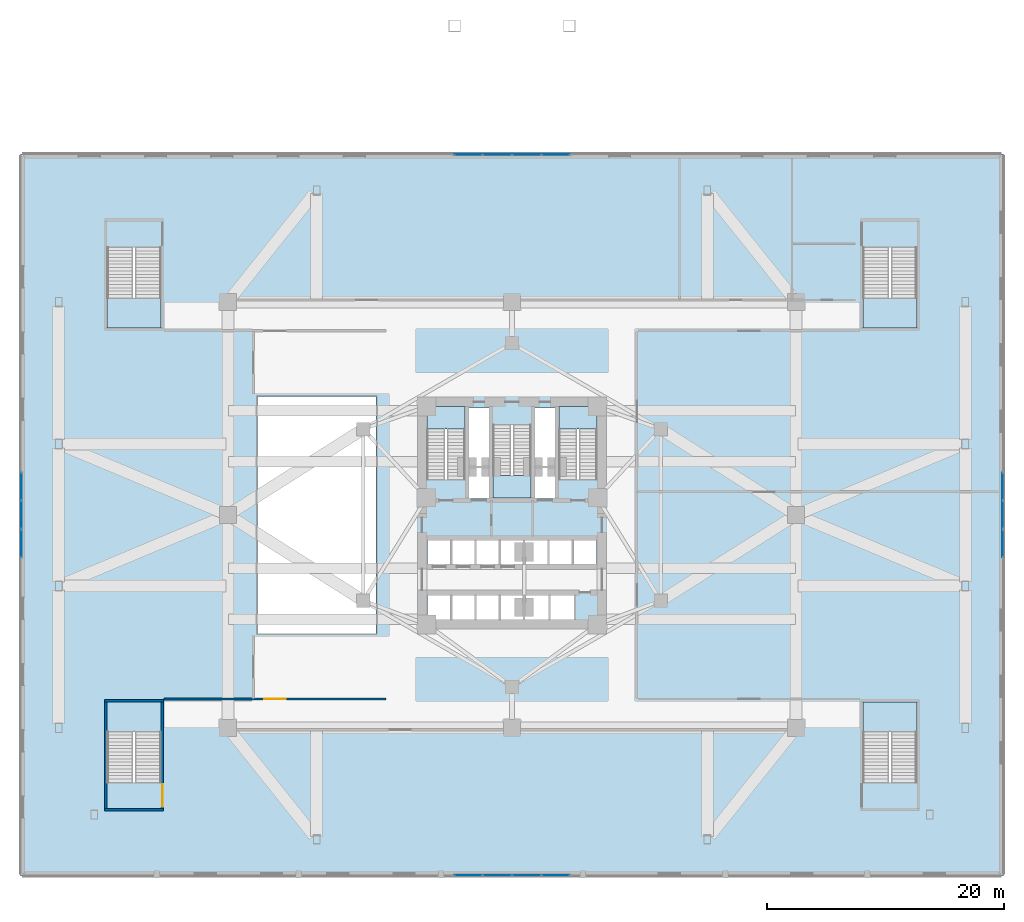
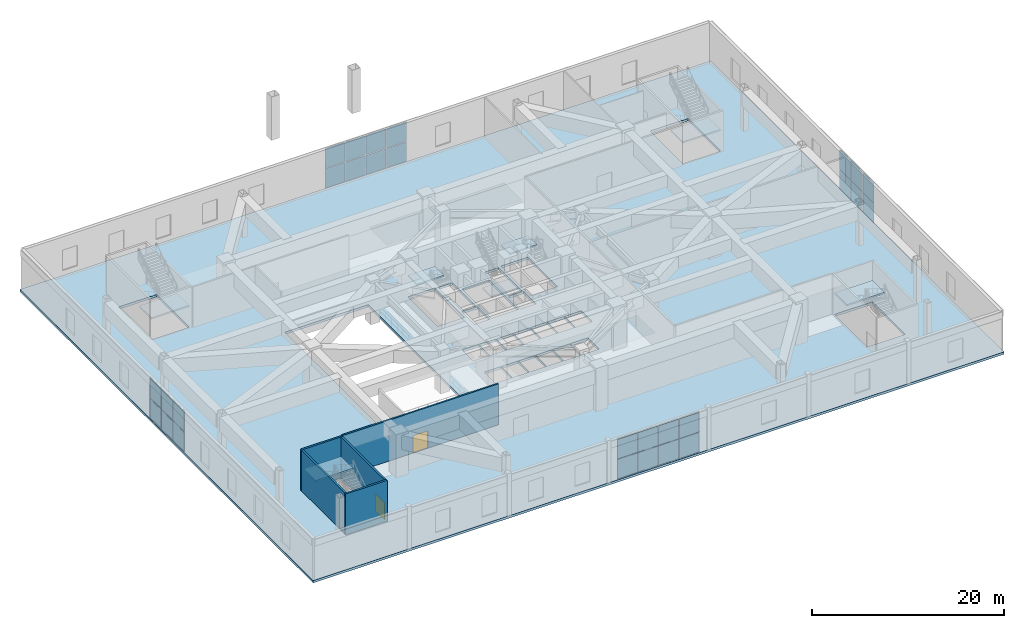
# One storey, part 9 of 23: 28 plates, 8 slabs, 5 walls, 2 doors, 2 openings, 11 elements without a shape of their own.
"""IFC4 building model written with IfcOpenShell, lengths in metres."""

from ifc_helpers import new_model, si_unit, direction, frame, frame_2d, origin, origin_2d, place, context, subcontext, project, spatial, polyline, rectangle, outline, extrude, material, layer, layer_set, type_object, element, fill, aggregate, save


model = new_model("IFC4")

# Units and contexts
model_context = context("Model", 3, precision=1e-05, world=origin(), true_north=direction((0.0, 1.0)))
body_context = subcontext(model_context, "Body", "Model", "MODEL_VIEW")
ifc_project = project(units=[si_unit("LENGTHUNIT", "METRE"), si_unit("AREAUNIT", "SQUARE_METRE"), si_unit("VOLUMEUNIT", "CUBIC_METRE"), si_unit("PLANEANGLEUNIT", "RADIAN"), si_unit("MASSUNIT", "GRAM", prefix="KILO")], contexts=[model_context])

# Site, building, storey
site_placement = place(None, origin())
site = spatial("IfcSite", under=ifc_project, at=site_placement, CompositionType="ELEMENT")
building_placement = place(site_placement, origin())
building = spatial("IfcBuilding", under=site, at=building_placement, Name="Apsidion Concourse Tower", CompositionType="ELEMENT")
storey_placement = place(building_placement, frame((0.0, 0.0, 6.0)))
storey = spatial("IfcBuildingStorey", under=building, at=storey_placement, Name="L01", CompositionType="ELEMENT", Elevation=6.0)

# Curtain wall, plates
ifc_material_1 = material(Name="Insulated laminated low-E glass", Category="glass")
ifc_layer_1 = layer(ifc_material_1, 0.18994140625)
ifc_layer_set_1 = layer_set([ifc_layer_1], Name="Insulated laminated low-E glass")
curtain_wall_type = type_object("IfcCurtainWallType", Name="CW-SYS-01", PredefinedType="NOTDEFINED", material=ifc_layer_set_1)
curtain_wall_1_placement = place(storey_placement, origin())
curtain_wall_1 = element("IfcCurtainWall", 1, at=curtain_wall_1_placement, inside=storey, type_object=curtain_wall_type, Name="L01 Podium Glazed Curtain Wall S", PredefinedType="NOTDEFINED")
ifc_layer_2 = layer(ifc_material_1, 0.031982421875)
ifc_layer_set_2 = layer_set([ifc_layer_2], Name="Insulated laminated low-E glass")
plate_type = type_object("IfcPlateType", Name="CWP-GLZ-32", PredefinedType="CURTAIN_PANEL", material=ifc_layer_set_2)
plate_1_placement = place(storey_placement, frame((3.6982421875, -30.43994140625, 0.074951171875), z_axis=(0.0, 0.0, 1.0), x_axis=(-1.0, 0.0, 0.0)))
plate_1 = element("IfcPlate", 2, at=plate_1_placement, type_object=plate_type, Name="CW-01 panel 1.1", PredefinedType="CURTAIN_PANEL", context=body_context, shape_type="SweptSolid", body=[
    extrude(rectangle(XDim=2.365478515625, YDim=0.031982421875, at=origin_2d()), origin(), (0.0, 0.0, 1.0), 2.46240234375),
])
plate_2_placement = place(storey_placement, frame((3.6982421875, -30.43994140625, 2.612548828125), z_axis=(0.0, 0.0, 1.0), x_axis=(-1.0, 0.0, 0.0)))
plate_2 = element("IfcPlate", 3, at=plate_2_placement, type_object=plate_type, Name="CW-01 panel 1.2", PredefinedType="CURTAIN_PANEL", context=body_context, shape_type="SweptSolid", body=[
    extrude(rectangle(XDim=2.365478515625, YDim=0.031982421875, at=origin_2d()), origin(), (0.0, 0.0, 1.0), 2.46240234375),
])
plate_3_placement = place(storey_placement, frame((1.239013671875, -30.43994140625, 0.074951171875), z_axis=(0.0, 0.0, 1.0), x_axis=(-1.0, 0.0, 0.0)))
plate_3 = element("IfcPlate", 4, at=plate_3_placement, type_object=plate_type, Name="CW-01 panel 2.1", PredefinedType="CURTAIN_PANEL", context=body_context, shape_type="SweptSolid", body=[
    extrude(rectangle(XDim=2.403076171875, YDim=0.031982421875, at=origin_2d()), origin(), (0.0, 0.0, 1.0), 2.46240234375),
])
plate_4_placement = place(storey_placement, frame((1.239013671875, -30.43994140625, 2.612548828125), z_axis=(0.0, 0.0, 1.0), x_axis=(-1.0, 0.0, 0.0)))
plate_4 = element("IfcPlate", 5, at=plate_4_placement, type_object=plate_type, Name="CW-01 panel 2.2", PredefinedType="CURTAIN_PANEL", context=body_context, shape_type="SweptSolid", body=[
    extrude(rectangle(XDim=2.403076171875, YDim=0.031982421875, at=origin_2d()), origin(), (0.0, 0.0, 1.0), 2.46240234375),
])
plate_5_placement = place(storey_placement, frame((-1.239013671875, -30.43994140625, 0.074951171875), z_axis=(0.0, 0.0, 1.0), x_axis=(-1.0, 0.0, 0.0)))
plate_5 = element("IfcPlate", 6, at=plate_5_placement, type_object=plate_type, Name="CW-01 panel 3.1", PredefinedType="CURTAIN_PANEL", context=body_context, shape_type="SweptSolid", body=[
    extrude(rectangle(XDim=2.403076171875, YDim=0.031982421875, at=origin_2d()), origin(), (0.0, 0.0, 1.0), 2.46240234375),
])
plate_6_placement = place(storey_placement, frame((-1.239013671875, -30.43994140625, 2.612548828125), z_axis=(0.0, 0.0, 1.0), x_axis=(-1.0, 0.0, 0.0)))
plate_6 = element("IfcPlate", 7, at=plate_6_placement, type_object=plate_type, Name="CW-01 panel 3.2", PredefinedType="CURTAIN_PANEL", context=body_context, shape_type="SweptSolid", body=[
    extrude(rectangle(XDim=2.403076171875, YDim=0.031982421875, at=origin_2d()), origin(), (0.0, 0.0, 1.0), 2.46240234375),
])
plate_7_placement = place(storey_placement, frame((-3.6982421875, -30.43994140625, 0.074951171875), z_axis=(0.0, 0.0, 1.0), x_axis=(-1.0, 0.0, 0.0)))
plate_7 = element("IfcPlate", 8, at=plate_7_placement, type_object=plate_type, Name="CW-01 panel 4.1", PredefinedType="CURTAIN_PANEL", context=body_context, shape_type="SweptSolid", body=[
    extrude(rectangle(XDim=2.365478515625, YDim=0.031982421875, at=origin_2d()), origin(), (0.0, 0.0, 1.0), 2.46240234375),
])
plate_8_placement = place(storey_placement, frame((-3.6982421875, -30.43994140625, 2.612548828125), z_axis=(0.0, 0.0, 1.0), x_axis=(-1.0, 0.0, 0.0)))
plate_8 = element("IfcPlate", 9, at=plate_8_placement, type_object=plate_type, Name="CW-01 panel 4.2", PredefinedType="CURTAIN_PANEL", context=body_context, shape_type="SweptSolid", body=[
    extrude(rectangle(XDim=2.365478515625, YDim=0.031982421875, at=origin_2d()), origin(), (0.0, 0.0, 1.0), 2.46240234375),
])
aggregate(curtain_wall_1, [plate_1, plate_2, plate_3, plate_4, plate_5, plate_6, plate_7, plate_8])

curtain_wall_2_placement = place(storey_placement, origin())
curtain_wall_2 = element("IfcCurtainWall", 10, at=curtain_wall_2_placement, inside=storey, type_object=curtain_wall_type, Name="L01 Podium Glazed Curtain Wall W", PredefinedType="NOTDEFINED")
plate_9_placement = place(storey_placement, frame((-41.43994140625, -2.4052734375, 0.074951171875), z_axis=(0.0, 0.0, 1.0), x_axis=(0.0, 1.0, 0.0)))
plate_9 = element("IfcPlate", 11, at=plate_9_placement, type_object=plate_type, Name="CW-01 panel 1.1", PredefinedType="CURTAIN_PANEL", context=body_context, shape_type="SweptSolid", body=[
    extrude(rectangle(XDim=2.3115234375, YDim=0.031982421875, at=origin_2d()), origin(), (0.0, 0.0, 1.0), 2.46240234375),
])
plate_10_placement = place(storey_placement, frame((-41.43994140625, -2.4052734375, 2.612548828125), z_axis=(0.0, 0.0, 1.0), x_axis=(0.0, 1.0, 0.0)))
plate_10 = element("IfcPlate", 12, at=plate_10_placement, type_object=plate_type, Name="CW-01 panel 1.2", PredefinedType="CURTAIN_PANEL", context=body_context, shape_type="SweptSolid", body=[
    extrude(rectangle(XDim=2.3115234375, YDim=0.031982421875, at=origin_2d()), origin(), (0.0, 0.0, 1.0), 2.46240234375),
])
plate_11_placement = place(storey_placement, frame((-41.43994140625, 0.0, 0.074951171875), z_axis=(0.0, 0.0, 1.0), x_axis=(0.0, 1.0, 0.0)))
plate_11 = element("IfcPlate", 13, at=plate_11_placement, type_object=plate_type, Name="CW-01 panel 2.1", PredefinedType="CURTAIN_PANEL", context=body_context, shape_type="SweptSolid", body=[
    extrude(rectangle(XDim=2.34912109375, YDim=0.031982421875, at=origin_2d()), origin(), (0.0, 0.0, 1.0), 2.46240234375),
])
plate_12_placement = place(storey_placement, frame((-41.43994140625, 0.0, 2.612548828125), z_axis=(0.0, 0.0, 1.0), x_axis=(0.0, 1.0, 0.0)))
plate_12 = element("IfcPlate", 14, at=plate_12_placement, type_object=plate_type, Name="CW-01 panel 2.2", PredefinedType="CURTAIN_PANEL", context=body_context, shape_type="SweptSolid", body=[
    extrude(rectangle(XDim=2.34912109375, YDim=0.031982421875, at=origin_2d()), origin(), (0.0, 0.0, 1.0), 2.46240234375),
])
plate_13_placement = place(storey_placement, frame((-41.43994140625, 2.4052734375, 0.074951171875), z_axis=(0.0, 0.0, 1.0), x_axis=(0.0, 1.0, 0.0)))
plate_13 = element("IfcPlate", 15, at=plate_13_placement, type_object=plate_type, Name="CW-01 panel 3.1", PredefinedType="CURTAIN_PANEL", context=body_context, shape_type="SweptSolid", body=[
    extrude(rectangle(XDim=2.3115234375, YDim=0.031982421875, at=origin_2d()), origin(), (0.0, 0.0, 1.0), 2.46240234375),
])
plate_14_placement = place(storey_placement, frame((-41.43994140625, 2.4052734375, 2.612548828125), z_axis=(0.0, 0.0, 1.0), x_axis=(0.0, 1.0, 0.0)))
plate_14 = element("IfcPlate", 16, at=plate_14_placement, type_object=plate_type, Name="CW-01 panel 3.2", PredefinedType="CURTAIN_PANEL", context=body_context, shape_type="SweptSolid", body=[
    extrude(rectangle(XDim=2.3115234375, YDim=0.031982421875, at=origin_2d()), origin(), (0.0, 0.0, 1.0), 2.46240234375),
])
aggregate(curtain_wall_2, [plate_9, plate_10, plate_11, plate_12, plate_13, plate_14])

curtain_wall_3_placement = place(storey_placement, origin())
curtain_wall_3 = element("IfcCurtainWall", 17, at=curtain_wall_3_placement, inside=storey, type_object=curtain_wall_type, Name="L01 Podium Glazed Curtain Wall N", PredefinedType="NOTDEFINED")
plate_15_placement = place(storey_placement, frame((-3.6982421875, 30.43994140625, 0.074951171875), z_axis=(0.0, 0.0, 1.0), x_axis=(1.0, 0.0, 0.0)))
plate_15 = element("IfcPlate", 18, at=plate_15_placement, type_object=plate_type, Name="CW-01 panel 1.1", PredefinedType="CURTAIN_PANEL", context=body_context, shape_type="SweptSolid", body=[
    extrude(rectangle(XDim=2.365478515625, YDim=0.031982421875, at=origin_2d()), origin(), (0.0, 0.0, 1.0), 2.46240234375),
])
plate_16_placement = place(storey_placement, frame((-3.6982421875, 30.43994140625, 2.612548828125), z_axis=(0.0, 0.0, 1.0), x_axis=(1.0, 0.0, 0.0)))
plate_16 = element("IfcPlate", 19, at=plate_16_placement, type_object=plate_type, Name="CW-01 panel 1.2", PredefinedType="CURTAIN_PANEL", context=body_context, shape_type="SweptSolid", body=[
    extrude(rectangle(XDim=2.365478515625, YDim=0.031982421875, at=origin_2d()), origin(), (0.0, 0.0, 1.0), 2.46240234375),
])
plate_17_placement = place(storey_placement, frame((-1.239013671875, 30.43994140625, 0.074951171875), z_axis=(0.0, 0.0, 1.0), x_axis=(1.0, 0.0, 0.0)))
plate_17 = element("IfcPlate", 20, at=plate_17_placement, type_object=plate_type, Name="CW-01 panel 2.1", PredefinedType="CURTAIN_PANEL", context=body_context, shape_type="SweptSolid", body=[
    extrude(rectangle(XDim=2.403076171875, YDim=0.031982421875, at=origin_2d()), origin(), (0.0, 0.0, 1.0), 2.46240234375),
])
plate_18_placement = place(storey_placement, frame((-1.239013671875, 30.43994140625, 2.612548828125), z_axis=(0.0, 0.0, 1.0), x_axis=(1.0, 0.0, 0.0)))
plate_18 = element("IfcPlate", 21, at=plate_18_placement, type_object=plate_type, Name="CW-01 panel 2.2", PredefinedType="CURTAIN_PANEL", context=body_context, shape_type="SweptSolid", body=[
    extrude(rectangle(XDim=2.403076171875, YDim=0.031982421875, at=origin_2d()), origin(), (0.0, 0.0, 1.0), 2.46240234375),
])
plate_19_placement = place(storey_placement, frame((1.239013671875, 30.43994140625, 0.074951171875), z_axis=(0.0, 0.0, 1.0), x_axis=(1.0, 0.0, 0.0)))
plate_19 = element("IfcPlate", 22, at=plate_19_placement, type_object=plate_type, Name="CW-01 panel 3.1", PredefinedType="CURTAIN_PANEL", context=body_context, shape_type="SweptSolid", body=[
    extrude(rectangle(XDim=2.403076171875, YDim=0.031982421875, at=origin_2d()), origin(), (0.0, 0.0, 1.0), 2.46240234375),
])
plate_20_placement = place(storey_placement, frame((1.239013671875, 30.43994140625, 2.612548828125), z_axis=(0.0, 0.0, 1.0), x_axis=(1.0, 0.0, 0.0)))
plate_20 = element("IfcPlate", 23, at=plate_20_placement, type_object=plate_type, Name="CW-01 panel 3.2", PredefinedType="CURTAIN_PANEL", context=body_context, shape_type="SweptSolid", body=[
    extrude(rectangle(XDim=2.403076171875, YDim=0.031982421875, at=origin_2d()), origin(), (0.0, 0.0, 1.0), 2.46240234375),
])
plate_21_placement = place(storey_placement, frame((3.6982421875, 30.43994140625, 0.074951171875), z_axis=(0.0, 0.0, 1.0), x_axis=(1.0, 0.0, 0.0)))
plate_21 = element("IfcPlate", 24, at=plate_21_placement, type_object=plate_type, Name="CW-01 panel 4.1", PredefinedType="CURTAIN_PANEL", context=body_context, shape_type="SweptSolid", body=[
    extrude(rectangle(XDim=2.365478515625, YDim=0.031982421875, at=origin_2d()), origin(), (0.0, 0.0, 1.0), 2.46240234375),
])
plate_22_placement = place(storey_placement, frame((3.6982421875, 30.43994140625, 2.612548828125), z_axis=(0.0, 0.0, 1.0), x_axis=(1.0, 0.0, 0.0)))
plate_22 = element("IfcPlate", 25, at=plate_22_placement, type_object=plate_type, Name="CW-01 panel 4.2", PredefinedType="CURTAIN_PANEL", context=body_context, shape_type="SweptSolid", body=[
    extrude(rectangle(XDim=2.365478515625, YDim=0.031982421875, at=origin_2d()), origin(), (0.0, 0.0, 1.0), 2.46240234375),
])
aggregate(curtain_wall_3, [plate_15, plate_16, plate_17, plate_18, plate_19, plate_20, plate_21, plate_22])

curtain_wall_4_placement = place(storey_placement, origin())
curtain_wall_4 = element("IfcCurtainWall", 26, at=curtain_wall_4_placement, inside=storey, type_object=curtain_wall_type, Name="L01 Podium Glazed Curtain Wall E", PredefinedType="NOTDEFINED")
plate_23_placement = place(storey_placement, frame((41.43994140625, 2.4052734375, 0.074951171875), z_axis=(0.0, 0.0, 1.0), x_axis=(0.0, -1.0, 0.0)))
plate_23 = element("IfcPlate", 27, at=plate_23_placement, type_object=plate_type, Name="CW-01 panel 1.1", PredefinedType="CURTAIN_PANEL", context=body_context, shape_type="SweptSolid", body=[
    extrude(rectangle(XDim=2.3115234375, YDim=0.031982421875, at=origin_2d()), origin(), (0.0, 0.0, 1.0), 2.46240234375),
])
plate_24_placement = place(storey_placement, frame((41.43994140625, 2.4052734375, 2.612548828125), z_axis=(0.0, 0.0, 1.0), x_axis=(0.0, -1.0, 0.0)))
plate_24 = element("IfcPlate", 28, at=plate_24_placement, type_object=plate_type, Name="CW-01 panel 1.2", PredefinedType="CURTAIN_PANEL", context=body_context, shape_type="SweptSolid", body=[
    extrude(rectangle(XDim=2.3115234375, YDim=0.031982421875, at=origin_2d()), origin(), (0.0, 0.0, 1.0), 2.46240234375),
])
plate_25_placement = place(storey_placement, frame((41.43994140625, 0.0, 0.074951171875), z_axis=(0.0, 0.0, 1.0), x_axis=(0.0, -1.0, 0.0)))
plate_25 = element("IfcPlate", 29, at=plate_25_placement, type_object=plate_type, Name="CW-01 panel 2.1", PredefinedType="CURTAIN_PANEL", context=body_context, shape_type="SweptSolid", body=[
    extrude(rectangle(XDim=2.34912109375, YDim=0.031982421875, at=origin_2d()), origin(), (0.0, 0.0, 1.0), 2.46240234375),
])
plate_26_placement = place(storey_placement, frame((41.43994140625, 0.0, 2.612548828125), z_axis=(0.0, 0.0, 1.0), x_axis=(0.0, -1.0, 0.0)))
plate_26 = element("IfcPlate", 30, at=plate_26_placement, type_object=plate_type, Name="CW-01 panel 2.2", PredefinedType="CURTAIN_PANEL", context=body_context, shape_type="SweptSolid", body=[
    extrude(rectangle(XDim=2.34912109375, YDim=0.031982421875, at=origin_2d()), origin(), (0.0, 0.0, 1.0), 2.46240234375),
])
plate_27_placement = place(storey_placement, frame((41.43994140625, -2.4052734375, 0.074951171875), z_axis=(0.0, 0.0, 1.0), x_axis=(0.0, -1.0, 0.0)))
plate_27 = element("IfcPlate", 31, at=plate_27_placement, type_object=plate_type, Name="CW-01 panel 3.1", PredefinedType="CURTAIN_PANEL", context=body_context, shape_type="SweptSolid", body=[
    extrude(rectangle(XDim=2.3115234375, YDim=0.031982421875, at=origin_2d()), origin(), (0.0, 0.0, 1.0), 2.46240234375),
])
plate_28_placement = place(storey_placement, frame((41.43994140625, -2.4052734375, 2.612548828125), z_axis=(0.0, 0.0, 1.0), x_axis=(0.0, -1.0, 0.0)))
plate_28 = element("IfcPlate", 32, at=plate_28_placement, type_object=plate_type, Name="CW-01 panel 3.2", PredefinedType="CURTAIN_PANEL", context=body_context, shape_type="SweptSolid", body=[
    extrude(rectangle(XDim=2.3115234375, YDim=0.031982421875, at=origin_2d()), origin(), (0.0, 0.0, 1.0), 2.46240234375),
])
aggregate(curtain_wall_4, [plate_23, plate_24, plate_25, plate_26, plate_27, plate_28])

# Slab
ifc_material_2 = material(Name="Concrete C50/60", Category="concrete")
ifc_layer_3 = layer(ifc_material_2, 0.300048828125)
ifc_layer_set_3 = layer_set([ifc_layer_3], Name="Concrete C50/60")
slab_type_1 = type_object("IfcSlabType", Name="SL-FLR-300", PredefinedType="FLOOR", material=ifc_layer_set_3)
slab_1_placement = place(storey_placement, frame((0.0, 0.0, -0.300048828125)))
element("IfcSlab", 33, at=slab_1_placement, inside=storey, type_object=slab_type_1, Name="L01 Structural Floor Slab", PredefinedType="FLOOR", context=body_context, shape_type="SweptSolid", body=[
    extrude(outline(polyline([(-41.5, -30.5), (41.5, -30.5), (41.5, 30.5), (-41.5, 30.5), (-41.5, -30.5)]), holes=[polyline([(-3.949951171875, 3.0), (-3.949951171875, 9.14990234375), (-7.199951171875, 9.14990234375), (-7.199951171875, 3.0), (-3.949951171875, 3.0)]), polyline([(7.199951171875, 3.0), (7.199951171875, 9.14990234375), (3.949951171875, 9.14990234375), (3.949951171875, 3.0), (7.199951171875, 3.0)]), polyline([(-1.625, 7.60009765625), (-1.625, 1.449951171875), (1.625, 1.449951171875), (1.625, 7.60009765625), (-1.625, 7.60009765625)]), polyline([(-29.64990234375, -22.60009765625), (-29.64990234375, -15.800048828125), (-34.199951171875, -15.800048828125), (-34.199951171875, -22.60009765625), (-29.64990234375, -22.60009765625)]), polyline([(34.199951171875, -22.60009765625), (34.199951171875, -15.800048828125), (29.64990234375, -15.800048828125), (29.64990234375, -22.60009765625), (34.199951171875, -22.60009765625)]), polyline([(-34.199951171875, 22.60009765625), (-34.199951171875, 15.800048828125), (-29.64990234375, 15.800048828125), (-29.64990234375, 22.60009765625), (-34.199951171875, 22.60009765625)]), polyline([(29.64990234375, 22.60009765625), (29.64990234375, 15.800048828125), (34.199951171875, 15.800048828125), (34.199951171875, 22.60009765625), (29.64990234375, 22.60009765625)]), polyline([(-7.14501953125, -4.300048828125), (-5.155029296875, -4.300048828125), (-5.155029296875, -2.050048828125), (-7.14501953125, -2.050048828125), (-7.14501953125, -4.300048828125)]), polyline([(-5.094970703125, -4.300048828125), (-3.10498046875, -4.300048828125), (-3.10498046875, -2.050048828125), (-5.094970703125, -2.050048828125), (-5.094970703125, -4.300048828125)]), polyline([(-3.044921875, -4.300048828125), (-1.054931640625, -4.300048828125), (-1.054931640625, -2.050048828125), (-3.044921875, -2.050048828125), (-3.044921875, -4.300048828125)]), polyline([(-0.9951171875, -4.300048828125), (0.9951171875, -4.300048828125), (0.9951171875, -2.050048828125), (-0.9951171875, -2.050048828125), (-0.9951171875, -4.300048828125)]), polyline([(1.054931640625, -4.300048828125), (3.044921875, -4.300048828125), (3.044921875, -2.050048828125), (1.054931640625, -2.050048828125), (1.054931640625, -4.300048828125)]), polyline([(3.10498046875, -4.300048828125), (5.094970703125, -4.300048828125), (5.094970703125, -2.050048828125), (3.10498046875, -2.050048828125), (3.10498046875, -4.300048828125)]), polyline([(5.155029296875, -4.300048828125), (7.14501953125, -4.300048828125), (7.14501953125, -2.050048828125), (5.155029296875, -2.050048828125), (5.155029296875, -4.300048828125)]), polyline([(-7.14501953125, -8.949951171875), (-5.155029296875, -8.949951171875), (-5.155029296875, -6.64990234375), (-7.14501953125, -6.64990234375), (-7.14501953125, -8.949951171875)]), polyline([(-5.094970703125, -8.949951171875), (-3.10498046875, -8.949951171875), (-3.10498046875, -6.64990234375), (-5.094970703125, -6.64990234375), (-5.094970703125, -8.949951171875)]), polyline([(-3.044921875, -8.949951171875), (-1.054931640625, -8.949951171875), (-1.054931640625, -6.64990234375), (-3.044921875, -6.64990234375), (-3.044921875, -8.949951171875)]), polyline([(-0.9951171875, -8.949951171875), (0.9951171875, -8.949951171875), (0.9951171875, -6.64990234375), (-0.9951171875, -6.64990234375), (-0.9951171875, -8.949951171875)]), polyline([(1.044921875, -9.0), (3.155029296875, -9.0), (3.155029296875, -6.64990234375), (1.044921875, -6.64990234375), (1.044921875, -9.0)]), polyline([(3.195068359375, -9.0), (5.304931640625, -9.0), (5.304931640625, -6.64990234375), (3.195068359375, -6.64990234375), (3.195068359375, -9.0)]), polyline([(-3.7099609375, 1.39990234375), (-1.85009765625, 1.39990234375), (-1.85009765625, 4.0), (-3.7099609375, 4.0), (-3.7099609375, 1.39990234375)]), polyline([(1.85009765625, 1.39990234375), (3.7099609375, 1.39990234375), (3.7099609375, 4.0), (1.85009765625, 4.0), (1.85009765625, 1.39990234375)]), polyline([(-3.6201171875, 4.14990234375), (-1.93994140625, 4.14990234375), (-1.93994140625, 9.050048828125), (-3.6201171875, 9.050048828125), (-3.6201171875, 4.14990234375)]), polyline([(1.93994140625, 4.14990234375), (3.6201171875, 4.14990234375), (3.6201171875, 9.050048828125), (1.93994140625, 9.050048828125), (1.93994140625, 4.14990234375)]), polyline([(-21.5, -10.0), (-11.5, -10.0), (-11.5, 10.0), (-21.5, 10.0), (-21.5, -10.0)])]), origin(), (0.0, 0.0, 1.0), 0.300048828125),
])

# Stair, slab
ifc_material_3 = material(Name="Precast concrete C40/50", Category="concrete")
stair_type_1 = type_object("IfcStairType", Name="ST-DL-1550", PredefinedType="HALF_TURN_STAIR", material=ifc_material_3)
stair_1_placement = place(storey_placement, origin())
stair_1 = element("IfcStair", 34, at=stair_1_placement, inside=storey, type_object=stair_type_1, Name="L01 Protected Core Exit Stair ST1", PredefinedType="HALF_TURN_STAIR")
ifc_layer_4 = layer(ifc_material_2, 0.199951171875)
ifc_layer_set_4 = layer_set([ifc_layer_4], Name="Concrete C50/60")
slab_type_2 = type_object("IfcSlabType", Name="SL-ST-LAND-200", PredefinedType="LANDING", material=ifc_layer_set_4)
slab_2_placement = place(storey_placement, frame((0.0, 0.0, 2.550048828125)))
slab_2 = element("IfcSlab", 35, at=slab_2_placement, type_object=slab_type_2, Name="ST1 landing 1", PredefinedType="LANDING", context=body_context, shape_type="SweptSolid", body=[
    extrude(outline(polyline([(-3.949951171875, 7.27490234375), (-3.949951171875, 9.14990234375), (-7.199951171875, 9.14990234375), (-7.199951171875, 7.27490234375), (-3.949951171875, 7.27490234375)])), origin(), (0.0, 0.0, 1.0), 0.199951171875),
])
aggregate(stair_1, [slab_2])

stair_2_placement = place(storey_placement, origin())
stair_2 = element("IfcStair", 36, at=stair_2_placement, inside=storey, type_object=stair_type_1, Name="L01 Protected Core Exit Stair ST2", PredefinedType="HALF_TURN_STAIR")
slab_3_placement = place(storey_placement, frame((0.0, 0.0, 2.550048828125)))
slab_3 = element("IfcSlab", 37, at=slab_3_placement, type_object=slab_type_2, Name="ST2 landing 1", PredefinedType="LANDING", context=body_context, shape_type="SweptSolid", body=[
    extrude(outline(polyline([(7.199951171875, 7.27490234375), (7.199951171875, 9.14990234375), (3.949951171875, 9.14990234375), (3.949951171875, 7.27490234375), (7.199951171875, 7.27490234375)])), origin(), (0.0, 0.0, 1.0), 0.199951171875),
])
aggregate(stair_2, [slab_3])

stair_3_placement = place(storey_placement, origin())
stair_3 = element("IfcStair", 38, at=stair_3_placement, inside=storey, type_object=stair_type_1, Name="L01 Protected Core Exit Stair ST3", PredefinedType="HALF_TURN_STAIR")
slab_4_placement = place(storey_placement, frame((0.0, 0.0, 2.550048828125)))
slab_4 = element("IfcSlab", 39, at=slab_4_placement, type_object=slab_type_2, Name="ST3 landing 1", PredefinedType="LANDING", context=body_context, shape_type="SweptSolid", body=[
    extrude(outline(polyline([(-1.625, 3.324951171875), (-1.625, 1.449951171875), (1.625, 1.449951171875), (1.625, 3.324951171875), (-1.625, 3.324951171875)])), origin(), (0.0, 0.0, 1.0), 0.199951171875),
])
aggregate(stair_3, [slab_4])

stair_type_2 = type_object("IfcStairType", Name="ST-DL-2200", PredefinedType="HALF_TURN_STAIR", material=ifc_material_3)
stair_4_placement = place(storey_placement, origin())
stair_4 = element("IfcStair", 40, at=stair_4_placement, inside=storey, type_object=stair_type_2, Name="L01 Podium Convention Exit Stair ST-P1", PredefinedType="HALF_TURN_STAIR")
slab_5_placement = place(storey_placement, frame((0.0, 0.0, 2.550048828125)))
slab_5 = element("IfcSlab", 41, at=slab_5_placement, type_object=slab_type_2, Name="ST-P1 landing 1", PredefinedType="LANDING", context=body_context, shape_type="SweptSolid", body=[
    extrude(outline(polyline([(-29.64990234375, -18.324951171875), (-29.64990234375, -15.800048828125), (-34.199951171875, -15.800048828125), (-34.199951171875, -18.324951171875), (-29.64990234375, -18.324951171875)])), origin(), (0.0, 0.0, 1.0), 0.199951171875),
])
aggregate(stair_4, [slab_5])

stair_5_placement = place(storey_placement, origin())
stair_5 = element("IfcStair", 42, at=stair_5_placement, inside=storey, type_object=stair_type_2, Name="L01 Podium Convention Exit Stair ST-P2", PredefinedType="HALF_TURN_STAIR")
slab_6_placement = place(storey_placement, frame((0.0, 0.0, 2.550048828125)))
slab_6 = element("IfcSlab", 43, at=slab_6_placement, type_object=slab_type_2, Name="ST-P2 landing 1", PredefinedType="LANDING", context=body_context, shape_type="SweptSolid", body=[
    extrude(outline(polyline([(34.199951171875, -18.324951171875), (34.199951171875, -15.800048828125), (29.64990234375, -15.800048828125), (29.64990234375, -18.324951171875), (34.199951171875, -18.324951171875)])), origin(), (0.0, 0.0, 1.0), 0.199951171875),
])
aggregate(stair_5, [slab_6])

stair_6_placement = place(storey_placement, origin())
stair_6 = element("IfcStair", 44, at=stair_6_placement, inside=storey, type_object=stair_type_2, Name="L01 Podium Convention Exit Stair ST-P3", PredefinedType="HALF_TURN_STAIR")
slab_7_placement = place(storey_placement, frame((0.0, 0.0, 2.550048828125)))
slab_7 = element("IfcSlab", 45, at=slab_7_placement, type_object=slab_type_2, Name="ST-P3 landing 1", PredefinedType="LANDING", context=body_context, shape_type="SweptSolid", body=[
    extrude(outline(polyline([(-34.199951171875, 18.324951171875), (-34.199951171875, 15.800048828125), (-29.64990234375, 15.800048828125), (-29.64990234375, 18.324951171875), (-34.199951171875, 18.324951171875)])), origin(), (0.0, 0.0, 1.0), 0.199951171875),
])
aggregate(stair_6, [slab_7])

stair_7_placement = place(storey_placement, origin())
stair_7 = element("IfcStair", 46, at=stair_7_placement, inside=storey, type_object=stair_type_2, Name="L01 Podium Convention Exit Stair ST-P4", PredefinedType="HALF_TURN_STAIR")
slab_8_placement = place(storey_placement, frame((0.0, 0.0, 2.550048828125)))
slab_8 = element("IfcSlab", 47, at=slab_8_placement, type_object=slab_type_2, Name="ST-P4 landing 1", PredefinedType="LANDING", context=body_context, shape_type="SweptSolid", body=[
    extrude(outline(polyline([(29.64990234375, 18.324951171875), (29.64990234375, 15.800048828125), (34.199951171875, 15.800048828125), (34.199951171875, 18.324951171875), (29.64990234375, 18.324951171875)])), origin(), (0.0, 0.0, 1.0), 0.199951171875),
])
aggregate(stair_7, [slab_8])

# Wall, opening, door
ifc_material_4 = material(Name="Gypsum plasterboard partition")
ifc_layer_5 = layer(ifc_material_4, 0.199951171875)
ifc_layer_set_5 = layer_set([ifc_layer_5], Name="Gypsum plasterboard partition")
wall_type_1 = type_object("IfcWallType", Name="WL-INT-PAR-200", PredefinedType="PARTITIONING", material=ifc_layer_set_5)
wall_1_placement = place(storey_placement, frame((-29.39990234375, -15.550048828125, 0.0), z_axis=(0.0, 0.0, 1.0), x_axis=(1.0, 0.0, 0.0)))
wall_1 = element("IfcWall", 48, at=wall_1_placement, inside=storey, type_object=wall_type_1, Name="L01 Interior Partition WL-L01-S1", PredefinedType="PARTITIONING", context=body_context, shape_type="SweptSolid", body=[
    extrude(rectangle(XDim=18.75, YDim=0.199951171875, at=frame_2d((9.375, 0.0))), origin(), (0.0, 0.0, 1.0), 5.199951171875),
])
opening_1_placement = place(wall_1_placement, frame((8.47509765625, 0.0, 0.0)))
opening_1 = element("IfcOpeningElement", 49, at=opening_1_placement, cuts=wall_1, Name="Opening D-06D", PredefinedType="OPENING", context=body_context, shape_type="SweptSolid", body=[
    extrude(rectangle(XDim=1.800048828125, YDim=2.199951171875, at=frame_2d((0.89990234375, 1.10009765625))), frame((0.0, 0.10986328125, 0.0), z_axis=(0.0, -1.0, 0.0), x_axis=(1.0, 0.0, 0.0)), (0.0, 0.0, 1.0), 0.219970703125),
])
ifc_material_5 = material(Name="Brushed stainless steel 316", Category="steel")
door_type_1 = type_object("IfcDoorType", Name="DR-INT-D06D", OperationType="DOUBLE_DOOR_SINGLE_SWING", PredefinedType="DOOR", material=ifc_material_5)
door_1_placement = place(opening_1_placement, origin())
door_1 = element("IfcDoor", 50, at=door_1_placement, inside=storey, type_object=door_type_1, Name="L01 Convention Door WL-L01-S1", OperationType="DOUBLE_DOOR_SINGLE_SWING", OverallHeight=2.199951171875, OverallWidth=1.800048828125, PredefinedType="DOOR", context=body_context, shape_type="SweptSolid", body=[
    extrude(rectangle(XDim=1.800048828125, YDim=2.199951171875, at=frame_2d((0.89990234375, 1.10009765625))), frame((0.0, 0.02490234375, 0.0), z_axis=(0.0, -1.0, 0.0), x_axis=(1.0, 0.0, 0.0)), (0.0, 0.0, 1.0), 0.050048828125),
])
fill(opening_1, door_1)

# Walls
ifc_layer_6 = layer(ifc_material_2, 0.219970703125)
ifc_layer_set_6 = layer_set([ifc_layer_6], Name="Concrete C50/60")
wall_type_2 = type_object("IfcWallType", Name="WL-SH-220", PredefinedType="SHEAR", material=ifc_layer_set_6)
for number, where, z_axis, x_axis, name in (
    (51, (-34.419921875, -24.909912109375, 0.0), (0.0, 0.0, 1.0), (1.0, 0.0, 0.0), "L01 Podium Stair ST-P1 Core Shear Wall S"),
    (52, (-34.419921875, -15.68994140625, 0.0), (0.0, 0.0, 1.0), (1.0, 0.0, 0.0), "L01 Podium Stair ST-P1 Core Shear Wall N"),
):
    element("IfcWall", number, at=place(storey_placement, frame(where, z_axis=z_axis, x_axis=x_axis)), inside=storey, type_object=wall_type_2, Name=name, PredefinedType="SHEAR", context=body_context, shape_type="SweptSolid", body=[
        extrude(rectangle(XDim=4.989990234375, YDim=0.219970703125, at=frame_2d((2.4951171875, 0.0))), origin(), (0.0, 0.0, 1.0), 5.199951171875),
    ])
wall_2_placement = place(storey_placement, frame((-34.31005859375, -24.800048828125, 0.0), z_axis=(0.0, 0.0, 1.0), x_axis=(0.0, 1.0, 0.0)))
element("IfcWall", 53, at=wall_2_placement, inside=storey, type_object=wall_type_2, Name="L01 Podium Stair ST-P1 Core Shear Wall W", PredefinedType="SHEAR", context=body_context, shape_type="SweptSolid", body=[
    extrude(rectangle(XDim=9.0, YDim=0.219970703125, at=frame_2d((4.5, 0.0))), origin(), (0.0, 0.0, 1.0), 5.199951171875),
])

# Wall, opening, door
wall_3_placement = place(storey_placement, frame((-29.5400390625, -24.800048828125, 0.0), z_axis=(0.0, 0.0, 1.0), x_axis=(0.0, 1.0, 0.0)))
wall_3 = element("IfcWall", 54, at=wall_3_placement, inside=storey, type_object=wall_type_2, Name="L01 Podium Stair ST-P1 Core Shear Wall E", PredefinedType="SHEAR", context=body_context, shape_type="SweptSolid", body=[
    extrude(rectangle(XDim=9.0, YDim=0.219970703125, at=frame_2d((4.5, 0.0))), origin(), (0.0, 0.0, 1.0), 5.199951171875),
])
opening_2_placement = place(wall_3_placement, frame((0.139892578125, 0.0, 0.0)))
opening_2 = element("IfcOpeningElement", 55, at=opening_2_placement, cuts=wall_3, Name="Opening D-07D", PredefinedType="OPENING", context=body_context, shape_type="SweptSolid", body=[
    extrude(rectangle(XDim=1.89990234375, YDim=2.199951171875, at=frame_2d((0.949951171875, 1.10009765625))), frame((0.0, 0.1201171875, 0.0), z_axis=(0.0, -1.0, 0.0), x_axis=(1.0, 0.0, 0.0)), (0.0, 0.0, 1.0), 0.239990234375),
])
door_type_2 = type_object("IfcDoorType", Name="DR-INT-D07D", OperationType="DOUBLE_DOOR_SINGLE_SWING", PredefinedType="DOOR", material=ifc_material_5)
door_2_placement = place(opening_2_placement, origin())
door_2 = element("IfcDoor", 56, at=door_2_placement, inside=storey, type_object=door_type_2, Name="L01 Podium Exit Stair ST-P1 Entry Door", OperationType="DOUBLE_DOOR_SINGLE_SWING", OverallHeight=2.199951171875, OverallWidth=1.89990234375, PredefinedType="DOOR", context=body_context, shape_type="SweptSolid", body=[
    extrude(rectangle(XDim=1.89990234375, YDim=2.199951171875, at=frame_2d((0.949951171875, 1.10009765625))), frame((0.0, 0.02490234375, 0.0), z_axis=(0.0, -1.0, 0.0), x_axis=(1.0, 0.0, 0.0)), (0.0, 0.0, 1.0), 0.050048828125),
])
fill(opening_2, door_2)

save(model, "model.ifc")
